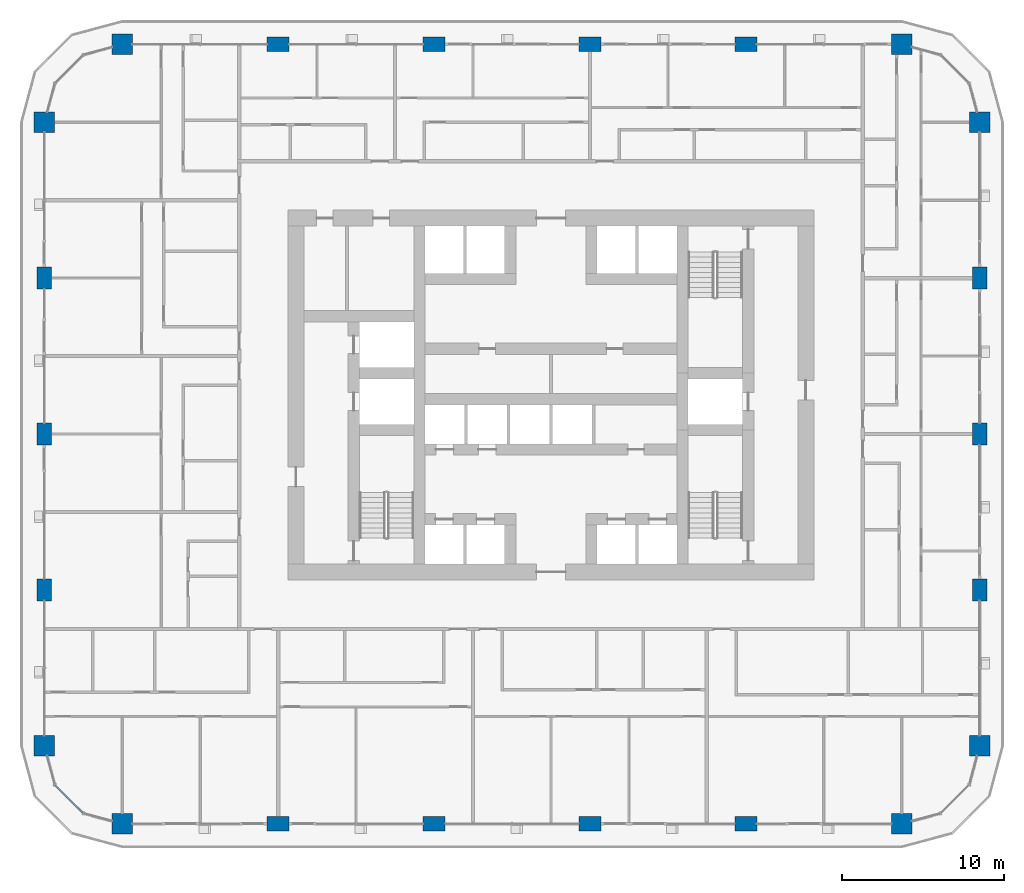
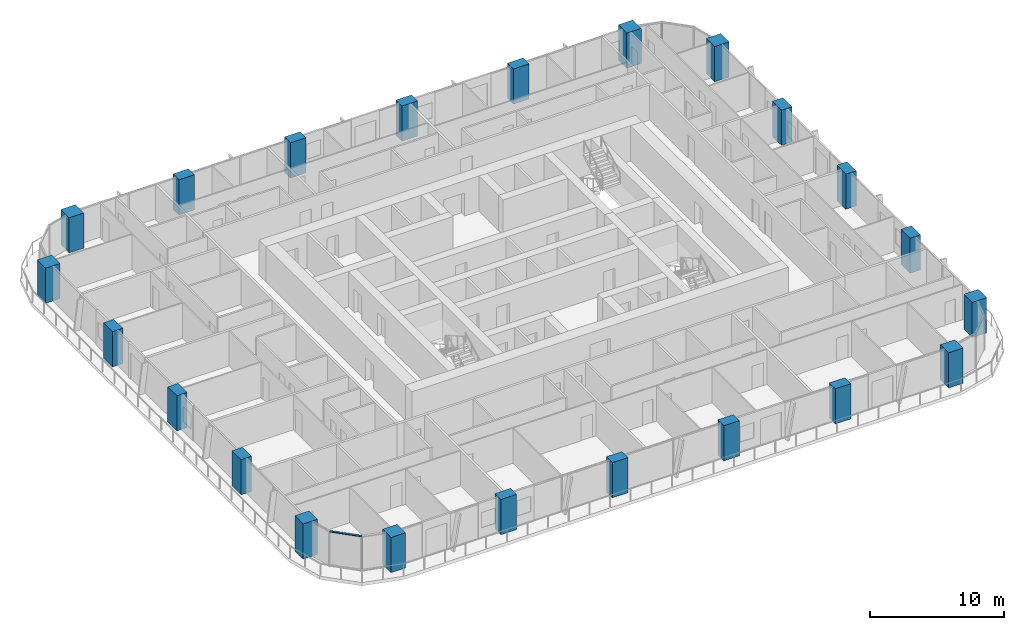
# One storey, part 1 of 21: 22 columns, 1 member, 1 element without a shape of its own.
"""IFC4 building model written with IfcOpenShell, lengths in metres."""

import ifcopenshell
import ifcopenshell.guid

model = None  # the IFC model being written
_history = None  # IfcOwnerHistory: only IFC2X3 demands one
_inside = {}  # id of a spatial element -> (the spatial element, [elements in it])
_under = {}  # id of a project, library or spatial element -> (it, [spatial elements below it])
_declared = {}  # id of a project -> (the project, [libraries it declares])
_typed = {}  # id of a type object -> (the type object, [elements of that type])
_made_of = {}  # id of a material, layer set ... -> (it, [elements and type objects made of it])


def new_model(schema):
    """Start an empty IFC model of exactly this schema.

    Asked for "IFC4X3", IfcOpenShell would pick the latest addendum, in which some entities
    have other attributes; the version numbers below select the first issue.
    IFC2X3 requires an IfcOwnerHistory on every rooted entity: one is made here for all.
    """
    global model, _history
    if schema == "IFC4X3":
        model = ifcopenshell.file(schema_version=(4, 3, 0, 0))
    else:
        model = ifcopenshell.file(schema=schema)
    _inside.clear()
    _under.clear()
    _declared.clear()
    _typed.clear()
    _made_of.clear()
    _history = None
    if model.schema == "IFC2X3":
        org = make("IfcOrganization", Name="unknown")
        user = make(
            "IfcPersonAndOrganization",
            ThePerson=make("IfcPerson", FamilyName="unknown"),
            TheOrganization=org,
        )
        app = make(
            "IfcApplication",
            ApplicationDeveloper=org,
            Version="unknown",
            ApplicationFullName="unknown",
            ApplicationIdentifier="unknown",
        )
        _history = make(
            "IfcOwnerHistory",
            OwningUser=user,
            OwningApplication=app,
            ChangeAction="ADDED",
            CreationDate=0,
        )
    return model


def make(cls, **values):
    """One entity of the class cls with the attributes given. An attribute that is None is left unset."""
    return model.create_entity(
        cls, **{name: value for name, value in values.items() if value is not None}
    )


def rooted(cls, **values):
    """An entity with a GlobalId (a new one), such as an element, a storey or a relation."""
    return make(cls, GlobalId=ifcopenshell.guid.new(), OwnerHistory=_history, **values)


def si_unit(unit_type, name, prefix=None):
    """IfcSIUnit, for example si_unit("LENGTHUNIT", "METRE", prefix="MILLI")."""
    return make("IfcSIUnit", UnitType=unit_type, Prefix=prefix, Name=name)


def assignment(units):
    """IfcUnitAssignment: the units of a project."""
    return None if units is None else make("IfcUnitAssignment", Units=units)


def point(xyz):
    """IfcCartesianPoint."""
    return None if xyz is None else make("IfcCartesianPoint", Coordinates=xyz)


def direction(xyz):
    """IfcDirection."""
    return None if xyz is None else make("IfcDirection", DirectionRatios=xyz)


def frame(location, z_axis=None, x_axis=None):
    """IfcAxis2Placement3D, a coordinate frame: its origin and axes. An axis left out is left unset."""
    return make(
        "IfcAxis2Placement3D",
        Location=point(location),
        Axis=direction(z_axis),
        RefDirection=direction(x_axis),
    )


def frame_2d(location, x_axis=None):
    """IfcAxis2Placement2D, a coordinate frame in the plane: its origin and x axis."""
    return make(
        "IfcAxis2Placement2D", Location=point(location), RefDirection=direction(x_axis)
    )


def origin():
    """The frame at (0, 0, 0) with its axes left unset."""
    return frame((0.0, 0.0, 0.0))


def origin_2d():
    """The frame at (0, 0) in the plane with its x axis left unset."""
    return frame_2d((0.0, 0.0))


def place(relative_to, where):
    """IfcLocalPlacement: puts the frame where relative to a parent placement (None: the world)."""
    return make(
        "IfcLocalPlacement", PlacementRelTo=relative_to, RelativePlacement=where
    )


def context(
    kind, dimensions, precision=None, world=None, true_north=None, identifier=None
):
    """IfcGeometricRepresentationContext, for example the 3D "Model" context."""
    return make(
        "IfcGeometricRepresentationContext",
        ContextIdentifier=identifier,
        ContextType=kind,
        CoordinateSpaceDimension=dimensions,
        Precision=precision,
        WorldCoordinateSystem=world,
        TrueNorth=true_north,
    )


def subcontext(parent, identifier, kind, view, scale=None):
    """IfcGeometricRepresentationSubContext, for example "Body" below "Model"."""
    return make(
        "IfcGeometricRepresentationSubContext",
        ContextIdentifier=identifier,
        ContextType=kind,
        ParentContext=parent,
        TargetScale=scale,
        TargetView=view,
    )


def project(units=None, contexts=None):
    """IfcProject with its units and contexts."""
    return rooted(
        "IfcProject",
        Name="project",
        RepresentationContexts=contexts,
        UnitsInContext=assignment(units),
    )


def spatial(cls, under=None, at=None, **own):
    """A site, building, storey or space (cls), placed at a placement, below another one or the project."""
    s = rooted(cls, ObjectPlacement=at, **own)
    if under is not None:
        _under.setdefault(under.id(), (under, []))[1].append(s)
    return s


def profile(cls, at=None, kind="AREA", **sizes):
    """A parametric profile (cls). Its sizes go by their IFC names, for example OverallWidth=200.0."""
    return make(cls, ProfileType=kind, Position=at, **sizes)


def rectangle(**sizes):
    """IfcRectangleProfileDef."""
    return profile("IfcRectangleProfileDef", **sizes)


def extrude(swept, where, along, depth):
    """IfcExtrudedAreaSolid: the profile swept, set in the frame where, extruded along a direction by depth."""
    return make(
        "IfcExtrudedAreaSolid",
        SweptArea=swept,
        Position=where,
        ExtrudedDirection=direction(along),
        Depth=depth,
    )


def shape(context_of_items, identifier, shape_type, items):
    """IfcShapeRepresentation: the items that make up one representation, for example the "Body"."""
    return make(
        "IfcShapeRepresentation",
        ContextOfItems=context_of_items,
        RepresentationIdentifier=identifier,
        RepresentationType=shape_type,
        Items=items,
    )


def material(Name=None, Category=None):
    """IfcMaterial."""
    return make("IfcMaterial", Name=Name, Category=Category)


def layer(
    of_material, thickness, ventilated=None, Name=None, Category=None, Priority=None
):
    """IfcMaterialLayer: one layer of a wall or slab, of a material (None: an air gap)."""
    return make(
        "IfcMaterialLayer",
        Material=of_material,
        LayerThickness=thickness,
        IsVentilated=ventilated,
        Name=Name,
        Category=Category,
        Priority=Priority,
    )


def layer_set(layers, Name=None):
    """IfcMaterialLayerSet."""
    return make("IfcMaterialLayerSet", MaterialLayers=layers, LayerSetName=Name)


def material_profile(
    of_material, cross_section, Name=None, Category=None, Priority=None
):
    """IfcMaterialProfile: a cross section and its material."""
    return make(
        "IfcMaterialProfile",
        Name=Name,
        Material=of_material,
        Profile=cross_section,
        Priority=Priority,
        Category=Category,
    )


def profile_set(profiles, Name=None, composite=None):
    """IfcMaterialProfileSet."""
    return make(
        "IfcMaterialProfileSet",
        Name=Name,
        MaterialProfiles=profiles,
        CompositeProfile=composite,
    )


def made_of(thing, what):
    """Note that an element or type object is made of a material, layer set ...; save() writes the relation."""
    if what is not None:
        _made_of.setdefault(what.id(), (what, []))[1].append(thing)
    return thing


def type_object(cls, material=None, **own):
    """A type object (cls), such as IfcWallType, which elements share."""
    return made_of(rooted(cls, **own), material)


def element(
    cls,
    number,
    at=None,
    inside=None,
    cuts=None,
    type_object=None,
    material=None,
    context=None,
    identifier="Body",
    shape_type=None,
    held_by="IfcProductDefinitionShape",
    body=None,
    shapes=None,
    **own,
):
    """One element of the class cls, such as IfcWall. Its Tag is "e" and its number.

    at: its placement. inside: the storey or other place that contains it. cuts: it is an
    opening in that element (IfcRelVoidsElement). A single representation is given by context,
    identifier, shape_type and body (its items); several are given by shapes. held_by: the class
    of the entity that holds the representations. save() writes the other relations.
    """
    e = rooted(cls, Tag="e%d" % number, ObjectPlacement=at, **own)
    if body is not None:
        shapes = [shape(context, identifier, shape_type, body)]
    if shapes is not None:
        e.Representation = make(held_by, Representations=shapes)
    if inside is not None:
        _inside.setdefault(inside.id(), (inside, []))[1].append(e)
    if cuts is not None:
        rooted(
            "IfcRelVoidsElement", RelatingBuildingElement=cuts, RelatedOpeningElement=e
        )
    if type_object is not None:
        _typed.setdefault(type_object.id(), (type_object, []))[1].append(e)
    return made_of(e, material)


def aggregate(whole, parts):
    """IfcRelAggregates: a whole, such as a stair, and the parts it consists of."""
    return rooted("IfcRelAggregates", RelatingObject=whole, RelatedObjects=parts)


def save(model, path):
    """Write the relations noted so far, then the file.

    IfcRelAggregates (storeys below a building ...), IfcRelContainedInSpatialStructure (elements
    in a storey), IfcRelDefinesByType, IfcRelAssociatesMaterial and IfcRelDeclares: one each for
    every whole, place, type object, material and project.
    """
    for whole, parts in _under.values():
        aggregate(whole, parts)
    for where, things in _inside.values():
        rooted(
            "IfcRelContainedInSpatialStructure",
            RelatedElements=things,
            RelatingStructure=where,
        )
    for kind, things in _typed.values():
        rooted("IfcRelDefinesByType", RelatedObjects=things, RelatingType=kind)
    for what, things in _made_of.values():
        rooted("IfcRelAssociatesMaterial", RelatedObjects=things, RelatingMaterial=what)
    for by, libraries in _declared.values():
        rooted("IfcRelDeclares", RelatingContext=by, RelatedDefinitions=libraries)
    model.write(path)


model = new_model("IFC4")

# Units and contexts
model_context = context("Model", 3, precision=1e-05, world=origin(), true_north=direction((0.0, 1.0)))
body_context = subcontext(model_context, "Body", "Model", "MODEL_VIEW")
ifc_project = project(units=[si_unit("LENGTHUNIT", "METRE"), si_unit("AREAUNIT", "SQUARE_METRE"), si_unit("VOLUMEUNIT", "CUBIC_METRE"), si_unit("PLANEANGLEUNIT", "RADIAN"), si_unit("MASSUNIT", "GRAM", prefix="KILO")], contexts=[model_context])

# Site, building, storey
site_placement = place(None, origin())
site = spatial("IfcSite", under=ifc_project, at=site_placement, CompositionType="ELEMENT")
building_placement = place(site_placement, origin())
building = spatial("IfcBuilding", under=site, at=building_placement, Name="Madar Terraces", CompositionType="ELEMENT")
storey_placement = place(building_placement, frame((0.0, 0.0, 39.89990234375)))
storey = spatial("IfcBuildingStorey", under=building, at=storey_placement, Name="L09", CompositionType="ELEMENT", Elevation=39.89990234375)

# Columns
ifc_material_1 = material(Name="Concrete C80/95", Category="concrete")
ifc_material_profile_1 = material_profile(ifc_material_1, rectangle(XDim=1.35009765625, YDim=0.89990234375, at=origin_2d()), Name="CC1 RC 1350x900")
ifc_profile_set_1 = profile_set([ifc_material_profile_1], Name="Concrete C80/95")
column_type_1 = type_object("IfcColumnType", Name="CC1 RC 1350x900", PredefinedType="COLUMN", material=ifc_profile_set_1)
for number, where, z_axis, x_axis, name in (
    (1, (14.39990234375, 0.0, 0.0), (0.0, 0.0, 1.0), (1.0, 0.0, 0.0), "Perimeter column S2"),
    (2, (24.0, 0.0, 0.0), (0.0, 0.0, 1.0), (1.0, 0.0, 0.0), "Perimeter column S3"),
    (3, (33.60009765625, 0.0, 0.0), (0.0, 0.0, 1.0), (1.0, 0.0, 0.0), "Perimeter column S4"),
    (4, (43.199951171875, 0.0, 0.0), (0.0, 0.0, 1.0), (1.0, 0.0, 0.0), "Perimeter column S5"),
    (5, (57.60009765625, 14.39990234375, 0.0), (0.0, 0.0, 1.0), (0.0, 1.0, 0.0), "Perimeter column E2"),
    (6, (57.60009765625, 24.0, 0.0), (0.0, 0.0, 1.0), (0.0, 1.0, 0.0), "Perimeter column E3"),
    (7, (57.60009765625, 33.60009765625, 0.0), (0.0, 0.0, 1.0), (0.0, 1.0, 0.0), "Perimeter column E4"),
    (8, (43.199951171875, 48.0, 0.0), (0.0, 0.0, 1.0), (1.0, 0.0, 0.0), "Perimeter column N2"),
    (9, (33.60009765625, 48.0, 0.0), (0.0, 0.0, 1.0), (1.0, 0.0, 0.0), "Perimeter column N3"),
    (10, (24.0, 48.0, 0.0), (0.0, 0.0, 1.0), (1.0, 0.0, 0.0), "Perimeter column N4"),
    (11, (14.39990234375, 48.0, 0.0), (0.0, 0.0, 1.0), (1.0, 0.0, 0.0), "Perimeter column N5"),
    (12, (0.0, 33.60009765625, 0.0), (0.0, 0.0, 1.0), (0.0, 1.0, 0.0), "Perimeter column W2"),
    (13, (0.0, 24.0, 0.0), (0.0, 0.0, 1.0), (0.0, 1.0, 0.0), "Perimeter column W3"),
    (14, (0.0, 14.39990234375, 0.0), (0.0, 0.0, 1.0), (0.0, 1.0, 0.0), "Perimeter column W4"),
):
    element("IfcColumn", number, at=place(storey_placement, frame(where, z_axis=z_axis, x_axis=x_axis)), inside=storey, type_object=column_type_1, Name=name, PredefinedType="COLUMN", context=body_context, shape_type="SweptSolid", body=[
        extrude(rectangle(XDim=1.35009765625, YDim=0.89990234375, at=origin_2d()), origin(), (0.0, 0.0, 1.0), 3.2001953125),
    ])
ifc_material_2 = material(Name="Concrete C80/95", Category="concrete")
ifc_material_profile_2 = material_profile(ifc_material_2, rectangle(XDim=1.25, YDim=1.25, at=origin_2d()), Name="KC1 RC 1250x1250")
ifc_profile_set_2 = profile_set([ifc_material_profile_2], Name="Concrete C80/95")
column_type_2 = type_object("IfcColumnType", Name="KC1 RC 1250x1250", PredefinedType="COLUMN", material=ifc_profile_set_2)
for number, where, z_axis, x_axis, name in (
    (15, (4.800048828125, 0.0, 0.0), (0.0, 0.0, 1.0), (1.0, 0.0, 0.0), "Perimeter column S1"),
    (16, (52.800048828125, 0.0, 0.0), (0.0, 0.0, 1.0), (1.0, 0.0, 0.0), "Perimeter column S6"),
    (17, (57.60009765625, 4.800048828125, 0.0), (0.0, 0.0, 1.0), (1.0, 0.0, 0.0), "Perimeter column E1"),
    (18, (57.60009765625, 43.199951171875, 0.0), (0.0, 0.0, 1.0), (1.0, 0.0, 0.0), "Perimeter column E5"),
    (19, (52.800048828125, 48.0, 0.0), (0.0, 0.0, 1.0), (1.0, 0.0, 0.0), "Perimeter column N1"),
    (20, (4.800048828125, 48.0, 0.0), (0.0, 0.0, 1.0), (1.0, 0.0, 0.0), "Perimeter column N6"),
    (21, (0.0, 43.199951171875, 0.0), (0.0, 0.0, 1.0), (1.0, 0.0, 0.0), "Perimeter column W1"),
    (22, (0.0, 4.800048828125, 0.0), (0.0, 0.0, 1.0), (1.0, 0.0, 0.0), "Perimeter column W5"),
):
    element("IfcColumn", number, at=place(storey_placement, frame(where, z_axis=z_axis, x_axis=x_axis)), inside=storey, type_object=column_type_2, Name=name, PredefinedType="COLUMN", context=body_context, shape_type="SweptSolid", body=[
        extrude(rectangle(XDim=1.25, YDim=1.25, at=origin_2d()), origin(), (0.0, 0.0, 1.0), 3.2001953125),
    ])

# Curtain wall, member
ifc_material_3 = material(Name="Glass, ceramic frit dark grey, with black aluminium frame", Category="aluminium")
ifc_layer = layer(ifc_material_3, 0.199951171875)
ifc_layer_set = layer_set([ifc_layer], Name="Facade curtain wall, fritted glass")
curtain_wall_type = type_object("IfcCurtainWallType", Name="Facade curtain wall, fritted glass", PredefinedType="NOTDEFINED", material=ifc_layer_set)
curtain_wall_placement = place(storey_placement, origin())
curtain_wall = element("IfcCurtainWall", 23, at=curtain_wall_placement, inside=storey, type_object=curtain_wall_type, Name="Outer skin curtain wall south-west corner", PredefinedType="NOTDEFINED")
ifc_material_4 = material(Name="Aluminium, black anodised", Category="aluminium")
ifc_material_profile_3 = material_profile(ifc_material_4, rectangle(XDim=0.1201171875, YDim=0.06005859375, at=origin_2d()), Name="Facade transom 60x120")
ifc_profile_set_3 = profile_set([ifc_material_profile_3], Name="Aluminium, black anodised")
member_type = type_object("IfcMemberType", Name="Facade transom 60x120", PredefinedType="USERDEFINED", material=ifc_profile_set_3)
member_placement = place(storey_placement, frame((0.664306640625, 2.37890625, 3.170166015625), z_axis=(0.707106781187, -0.707106781187, 0.0), x_axis=(0.707106781187, 0.707106781187, 0.0)))
member = element("IfcMember", 24, at=member_placement, type_object=member_type, Name="Transom 2", ObjectType="TRANSOM", PredefinedType="USERDEFINED", context=body_context, shape_type="SweptSolid", body=[
    extrude(rectangle(XDim=0.1201171875, YDim=0.06005859375, at=origin_2d()), origin(), (0.0, 0.0, 1.0), 2.4248046875),
])
aggregate(curtain_wall, [member])

save(model, "model.ifc")
